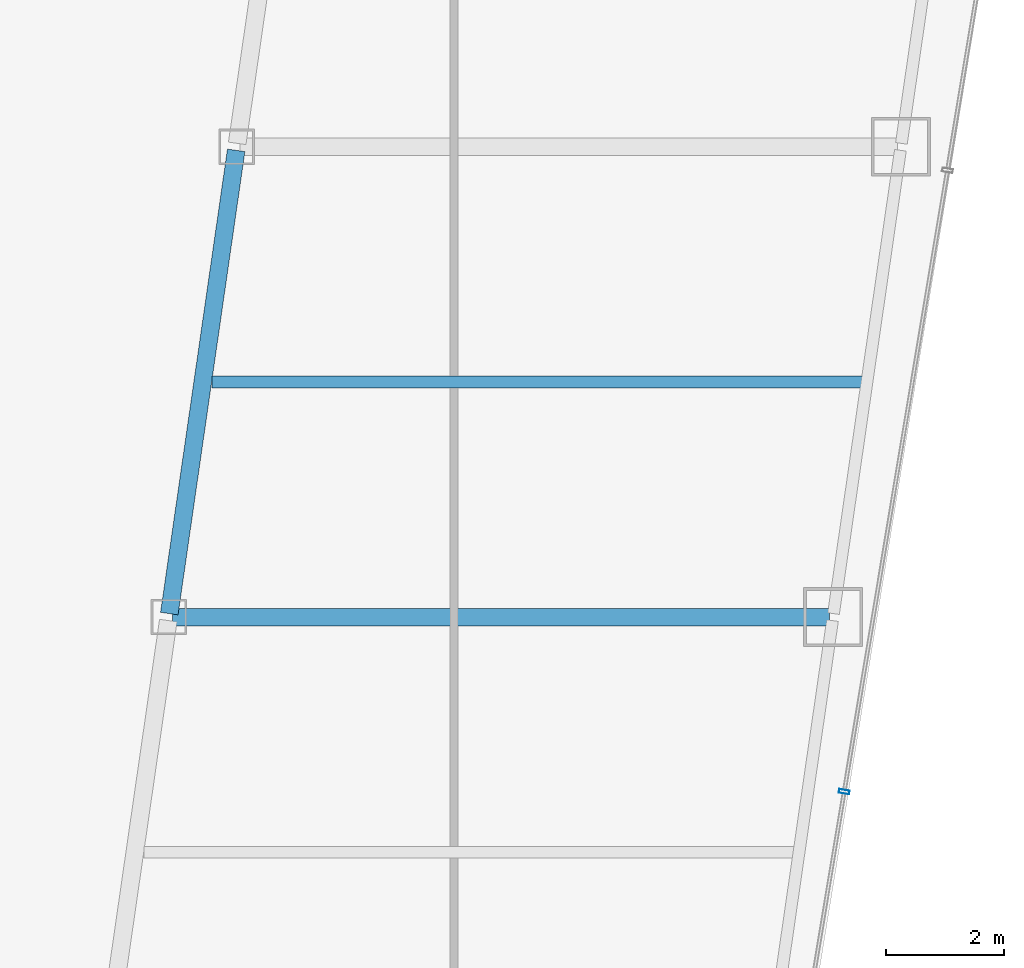
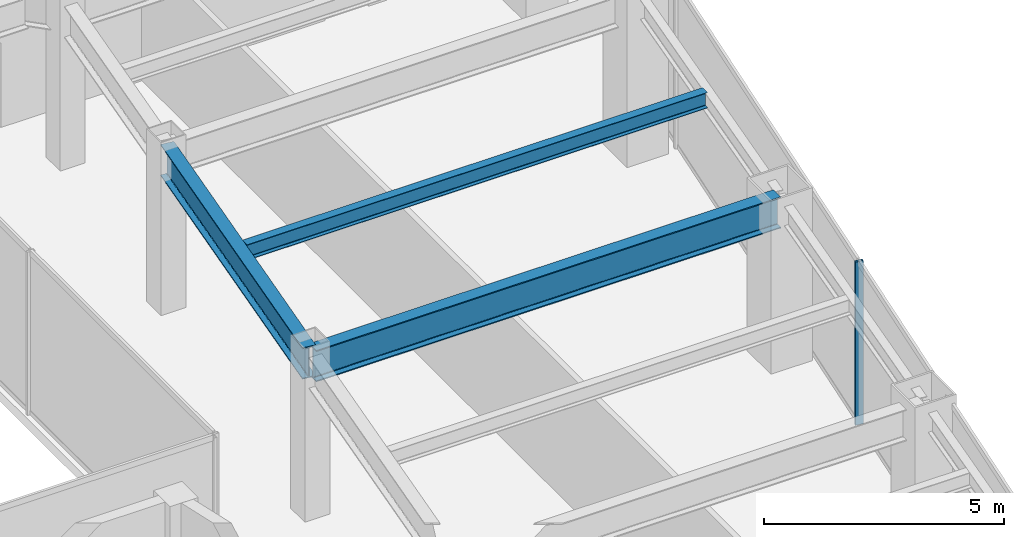
# One storey, part 12 of 35: 3 beams, 1 member, 1 element without a shape of its own.
"""IFC4 building model written with IfcOpenShell, lengths in metres."""

import ifcopenshell
import ifcopenshell.guid

model = None  # the IFC model being written
_history = None  # IfcOwnerHistory: only IFC2X3 demands one
_inside = {}  # id of a spatial element -> (the spatial element, [elements in it])
_under = {}  # id of a project, library or spatial element -> (it, [spatial elements below it])
_declared = {}  # id of a project -> (the project, [libraries it declares])
_typed = {}  # id of a type object -> (the type object, [elements of that type])
_made_of = {}  # id of a material, layer set ... -> (it, [elements and type objects made of it])


def new_model(schema):
    """Start an empty IFC model of exactly this schema.

    Asked for "IFC4X3", IfcOpenShell would pick the latest addendum, in which some entities
    have other attributes; the version numbers below select the first issue.
    IFC2X3 requires an IfcOwnerHistory on every rooted entity: one is made here for all.
    """
    global model, _history
    if schema == "IFC4X3":
        model = ifcopenshell.file(schema_version=(4, 3, 0, 0))
    else:
        model = ifcopenshell.file(schema=schema)
    _inside.clear()
    _under.clear()
    _declared.clear()
    _typed.clear()
    _made_of.clear()
    _history = None
    if model.schema == "IFC2X3":
        org = make("IfcOrganization", Name="unknown")
        user = make(
            "IfcPersonAndOrganization",
            ThePerson=make("IfcPerson", FamilyName="unknown"),
            TheOrganization=org,
        )
        app = make(
            "IfcApplication",
            ApplicationDeveloper=org,
            Version="unknown",
            ApplicationFullName="unknown",
            ApplicationIdentifier="unknown",
        )
        _history = make(
            "IfcOwnerHistory",
            OwningUser=user,
            OwningApplication=app,
            ChangeAction="ADDED",
            CreationDate=0,
        )
    return model


def make(cls, **values):
    """One entity of the class cls with the attributes given. An attribute that is None is left unset."""
    return model.create_entity(
        cls, **{name: value for name, value in values.items() if value is not None}
    )


def rooted(cls, **values):
    """An entity with a GlobalId (a new one), such as an element, a storey or a relation."""
    return make(cls, GlobalId=ifcopenshell.guid.new(), OwnerHistory=_history, **values)


def si_unit(unit_type, name, prefix=None):
    """IfcSIUnit, for example si_unit("LENGTHUNIT", "METRE", prefix="MILLI")."""
    return make("IfcSIUnit", UnitType=unit_type, Prefix=prefix, Name=name)


def assignment(units):
    """IfcUnitAssignment: the units of a project."""
    return None if units is None else make("IfcUnitAssignment", Units=units)


def point(xyz):
    """IfcCartesianPoint."""
    return None if xyz is None else make("IfcCartesianPoint", Coordinates=xyz)


def direction(xyz):
    """IfcDirection."""
    return None if xyz is None else make("IfcDirection", DirectionRatios=xyz)


def frame(location, z_axis=None, x_axis=None):
    """IfcAxis2Placement3D, a coordinate frame: its origin and axes. An axis left out is left unset."""
    return make(
        "IfcAxis2Placement3D",
        Location=point(location),
        Axis=direction(z_axis),
        RefDirection=direction(x_axis),
    )


def frame_2d(location, x_axis=None):
    """IfcAxis2Placement2D, a coordinate frame in the plane: its origin and x axis."""
    return make(
        "IfcAxis2Placement2D", Location=point(location), RefDirection=direction(x_axis)
    )


def origin():
    """The frame at (0, 0, 0) with its axes left unset."""
    return frame((0.0, 0.0, 0.0))


def origin_2d():
    """The frame at (0, 0) in the plane with its x axis left unset."""
    return frame_2d((0.0, 0.0))


def place(relative_to, where):
    """IfcLocalPlacement: puts the frame where relative to a parent placement (None: the world)."""
    return make(
        "IfcLocalPlacement", PlacementRelTo=relative_to, RelativePlacement=where
    )


def context(
    kind, dimensions, precision=None, world=None, true_north=None, identifier=None
):
    """IfcGeometricRepresentationContext, for example the 3D "Model" context."""
    return make(
        "IfcGeometricRepresentationContext",
        ContextIdentifier=identifier,
        ContextType=kind,
        CoordinateSpaceDimension=dimensions,
        Precision=precision,
        WorldCoordinateSystem=world,
        TrueNorth=true_north,
    )


def subcontext(parent, identifier, kind, view, scale=None):
    """IfcGeometricRepresentationSubContext, for example "Body" below "Model"."""
    return make(
        "IfcGeometricRepresentationSubContext",
        ContextIdentifier=identifier,
        ContextType=kind,
        ParentContext=parent,
        TargetScale=scale,
        TargetView=view,
    )


def project(units=None, contexts=None):
    """IfcProject with its units and contexts."""
    return rooted(
        "IfcProject",
        Name="project",
        RepresentationContexts=contexts,
        UnitsInContext=assignment(units),
    )


def spatial(cls, under=None, at=None, **own):
    """A site, building, storey or space (cls), placed at a placement, below another one or the project."""
    s = rooted(cls, ObjectPlacement=at, **own)
    if under is not None:
        _under.setdefault(under.id(), (under, []))[1].append(s)
    return s


def profile(cls, at=None, kind="AREA", **sizes):
    """A parametric profile (cls). Its sizes go by their IFC names, for example OverallWidth=200.0."""
    return make(cls, ProfileType=kind, Position=at, **sizes)


def hollow_rectangle(**sizes):
    """IfcRectangleHollowProfileDef."""
    return profile("IfcRectangleHollowProfileDef", **sizes)


def i_section(**sizes):
    """IfcIShapeProfileDef."""
    return profile("IfcIShapeProfileDef", **sizes)


def extrude(swept, where, along, depth):
    """IfcExtrudedAreaSolid: the profile swept, set in the frame where, extruded along a direction by depth."""
    return make(
        "IfcExtrudedAreaSolid",
        SweptArea=swept,
        Position=where,
        ExtrudedDirection=direction(along),
        Depth=depth,
    )


def shape(context_of_items, identifier, shape_type, items):
    """IfcShapeRepresentation: the items that make up one representation, for example the "Body"."""
    return make(
        "IfcShapeRepresentation",
        ContextOfItems=context_of_items,
        RepresentationIdentifier=identifier,
        RepresentationType=shape_type,
        Items=items,
    )


def material(Name=None, Category=None):
    """IfcMaterial."""
    return make("IfcMaterial", Name=Name, Category=Category)


def material_profile(
    of_material, cross_section, Name=None, Category=None, Priority=None
):
    """IfcMaterialProfile: a cross section and its material."""
    return make(
        "IfcMaterialProfile",
        Name=Name,
        Material=of_material,
        Profile=cross_section,
        Priority=Priority,
        Category=Category,
    )


def profile_set(profiles, Name=None, composite=None):
    """IfcMaterialProfileSet."""
    return make(
        "IfcMaterialProfileSet",
        Name=Name,
        MaterialProfiles=profiles,
        CompositeProfile=composite,
    )


def made_of(thing, what):
    """Note that an element or type object is made of a material, layer set ...; save() writes the relation."""
    if what is not None:
        _made_of.setdefault(what.id(), (what, []))[1].append(thing)
    return thing


def type_object(cls, material=None, **own):
    """A type object (cls), such as IfcWallType, which elements share."""
    return made_of(rooted(cls, **own), material)


def element(
    cls,
    number,
    at=None,
    inside=None,
    cuts=None,
    type_object=None,
    material=None,
    context=None,
    identifier="Body",
    shape_type=None,
    held_by="IfcProductDefinitionShape",
    body=None,
    shapes=None,
    **own,
):
    """One element of the class cls, such as IfcWall. Its Tag is "e" and its number.

    at: its placement. inside: the storey or other place that contains it. cuts: it is an
    opening in that element (IfcRelVoidsElement). A single representation is given by context,
    identifier, shape_type and body (its items); several are given by shapes. held_by: the class
    of the entity that holds the representations. save() writes the other relations.
    """
    e = rooted(cls, Tag="e%d" % number, ObjectPlacement=at, **own)
    if body is not None:
        shapes = [shape(context, identifier, shape_type, body)]
    if shapes is not None:
        e.Representation = make(held_by, Representations=shapes)
    if inside is not None:
        _inside.setdefault(inside.id(), (inside, []))[1].append(e)
    if cuts is not None:
        rooted(
            "IfcRelVoidsElement", RelatingBuildingElement=cuts, RelatedOpeningElement=e
        )
    if type_object is not None:
        _typed.setdefault(type_object.id(), (type_object, []))[1].append(e)
    return made_of(e, material)


def aggregate(whole, parts):
    """IfcRelAggregates: a whole, such as a stair, and the parts it consists of."""
    return rooted("IfcRelAggregates", RelatingObject=whole, RelatedObjects=parts)


def save(model, path):
    """Write the relations noted so far, then the file.

    IfcRelAggregates (storeys below a building ...), IfcRelContainedInSpatialStructure (elements
    in a storey), IfcRelDefinesByType, IfcRelAssociatesMaterial and IfcRelDeclares: one each for
    every whole, place, type object, material and project.
    """
    for whole, parts in _under.values():
        aggregate(whole, parts)
    for where, things in _inside.values():
        rooted(
            "IfcRelContainedInSpatialStructure",
            RelatedElements=things,
            RelatingStructure=where,
        )
    for kind, things in _typed.values():
        rooted("IfcRelDefinesByType", RelatedObjects=things, RelatingType=kind)
    for what, things in _made_of.values():
        rooted("IfcRelAssociatesMaterial", RelatedObjects=things, RelatingMaterial=what)
    for by, libraries in _declared.values():
        rooted("IfcRelDeclares", RelatingContext=by, RelatedDefinitions=libraries)
    model.write(path)


model = new_model("IFC4")

# Units and contexts
model_context = context("Model", 3, precision=1e-05, world=origin(), true_north=direction((0.0, 1.0)))
body_context = subcontext(model_context, "Body", "Model", "MODEL_VIEW")
ifc_project = project(units=[si_unit("LENGTHUNIT", "METRE"), si_unit("AREAUNIT", "SQUARE_METRE"), si_unit("VOLUMEUNIT", "CUBIC_METRE"), si_unit("PLANEANGLEUNIT", "RADIAN"), si_unit("MASSUNIT", "GRAM", prefix="KILO")], contexts=[model_context])

# Site, building, storey
site_placement = place(None, origin())
site = spatial("IfcSite", under=ifc_project, at=site_placement, CompositionType="ELEMENT")
building_placement = place(site_placement, origin())
building = spatial("IfcBuilding", under=site, at=building_placement, Name="Saevonmaru Cultural Tower", CompositionType="ELEMENT")
storey_placement = place(building_placement, frame((0.0, 0.0, 101.60009765625)))
storey = spatial("IfcBuildingStorey", under=building, at=storey_placement, Name="L21", CompositionType="ELEMENT", Elevation=101.60009765625)

# Beams
ifc_material_1 = material(Name="Steel SM420", Category="steel")
ifc_material_profile_1 = material_profile(ifc_material_1, i_section(OverallWidth=0.300048828125, OverallDepth=0.800048828125, WebThickness=0.013916015625, FlangeThickness=0.02587890625, FilletRadius=0.028076171875, at=origin_2d()), Name="H-800x300x14x26")
ifc_profile_set_1 = profile_set([ifc_material_profile_1], Name="Steel SM420")
beam_type_1 = type_object("IfcBeamType", Name="BM-G-H800", PredefinedType="BEAM", material=ifc_profile_set_1)
beam_1_placement = place(storey_placement, frame((39.236572265625, 24.059326171875, 3.75), z_axis=(0.142902032203, 0.989736838353, 0.0), x_axis=(-0.989736838353, 0.142902032203, 0.0)))
element("IfcBeam", 1, at=beam_1_placement, inside=storey, type_object=beam_type_1, Name="L21 East Atrium Girder 3", PredefinedType="BEAM", context=body_context, shape_type="SweptSolid", body=[
    extrude(i_section(OverallWidth=0.300048828125, OverallDepth=0.800048828125, WebThickness=0.013916015625, FlangeThickness=0.02587890625, FilletRadius=0.028076171875, at=origin_2d()), origin(), (0.0, 0.0, 1.0), 7.963134765625),
])
beam_2_placement = place(storey_placement, frame((39.2880859375, 24.0, 3.75), z_axis=(1.0, 0.0, 0.0), x_axis=(0.0, 1.0, 0.0)))
element("IfcBeam", 2, at=beam_2_placement, inside=storey, type_object=beam_type_1, Name="L21 East Wing Transverse Girder 3", PredefinedType="BEAM", context=body_context, shape_type="SweptSolid", body=[
    extrude(i_section(OverallWidth=0.300048828125, OverallDepth=0.800048828125, WebThickness=0.013916015625, FlangeThickness=0.02587890625, FilletRadius=0.028076171875, at=origin_2d()), origin(), (0.0, 0.0, 1.0), 11.179931640625),
])
ifc_material_2 = material(Name="Steel SM355", Category="steel")
ifc_material_profile_2 = material_profile(ifc_material_2, i_section(OverallWidth=0.199951171875, OverallDepth=0.39990234375, WebThickness=0.008056640625, FlangeThickness=0.012939453125, FilletRadius=0.01611328125, at=origin_2d()), Name="H-400x200x8x13")
ifc_profile_set_2 = profile_set([ifc_material_profile_2], Name="Steel SM355")
beam_type_2 = type_object("IfcBeamType", Name="BM-J-H400", PredefinedType="JOIST", material=ifc_profile_set_2)
beam_3_placement = place(storey_placement, frame((39.96337890625, 28.0, 3.949951171875), z_axis=(1.0, 0.0, 0.0), x_axis=(0.0, 1.0, 0.0)))
element("IfcBeam", 3, at=beam_3_placement, inside=storey, type_object=beam_type_2, Name="L21 East Wing Floor Joist 3", PredefinedType="JOIST", context=body_context, shape_type="SweptSolid", body=[
    extrude(i_section(OverallWidth=0.199951171875, OverallDepth=0.39990234375, WebThickness=0.008056640625, FlangeThickness=0.012939453125, FilletRadius=0.01611328125, at=origin_2d()), origin(), (0.0, 0.0, 1.0), 11.08203125),
])

# Curtain wall, member
ifc_material_3 = material(Name="Satin Bronze Anodised Aluminium", Category="aluminium")
curtain_wall_type = type_object("IfcCurtainWallType", Name="CW-TYP-A", PredefinedType="NOTDEFINED", material=ifc_material_3)
curtain_wall_placement = place(storey_placement, origin())
curtain_wall = element("IfcCurtainWall", 4, at=curtain_wall_placement, inside=storey, type_object=curtain_wall_type, Name="L21 Unitised Curtain Wall E8", PredefinedType="NOTDEFINED")
ifc_material_profile_3 = material_profile(ifc_material_3, hollow_rectangle(XDim=0.06494140625, YDim=0.179931640625, WallThickness=0.00390625, at=origin_2d()), Name="ALU-MULL-180x65x4")
ifc_profile_set_3 = profile_set([ifc_material_profile_3], Name="Satin Bronze Anodised Aluminium")
member_type = type_object("IfcMemberType", Name="ML-CW-180x65", PredefinedType="MULLION", material=ifc_profile_set_3)
member_placement = place(storey_placement, frame((50.71826171875, 21.029541015625, 0.0), z_axis=(0.0, 0.0, 1.0), x_axis=(0.163998702345, 0.986460554523, 0.0)))
member = element("IfcMember", 5, at=member_placement, type_object=member_type, Name="CW-TW-L21-E8 mullion 2", PredefinedType="MULLION", context=body_context, shape_type="SweptSolid", body=[
    extrude(hollow_rectangle(XDim=0.06494140625, YDim=0.179931640625, WallThickness=0.00390625, at=origin_2d()), origin(), (0.0, 0.0, 1.0), 4.14990234375),
])
aggregate(curtain_wall, [member])

save(model, "model.ifc")
